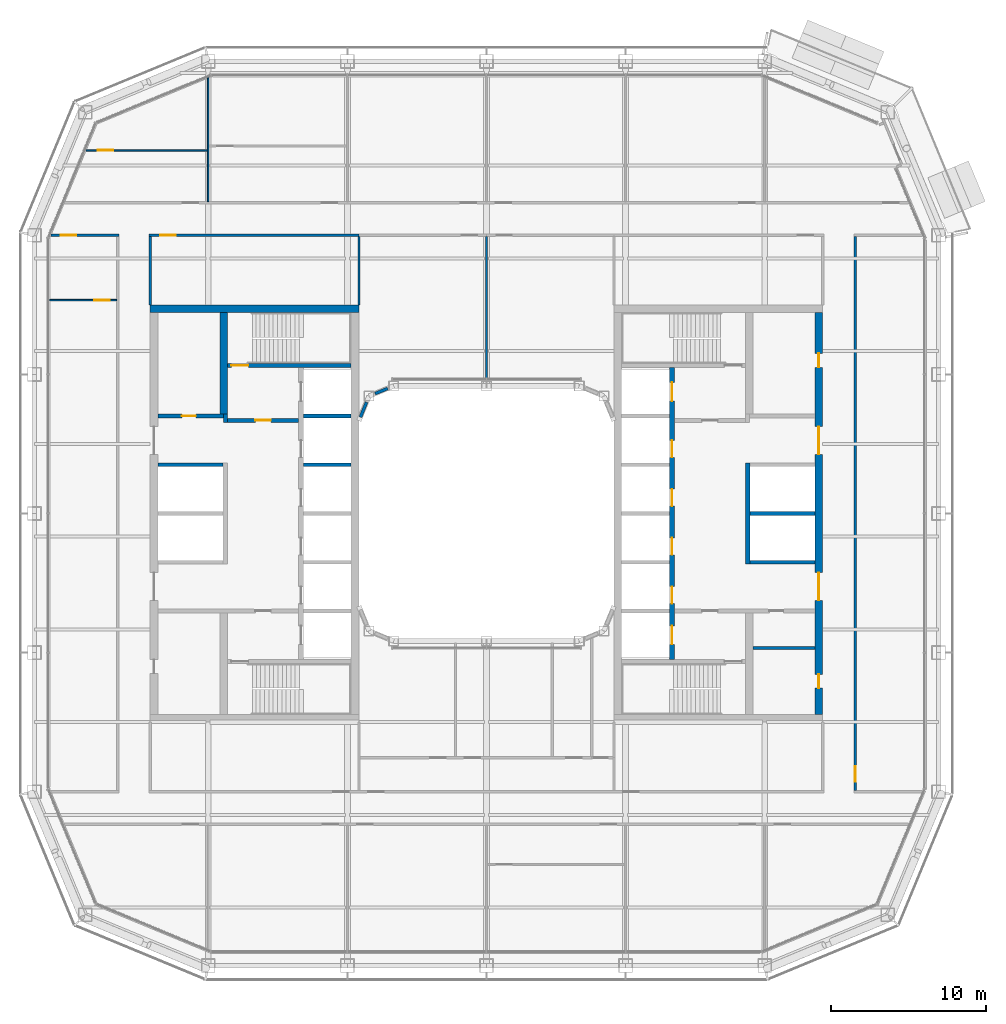
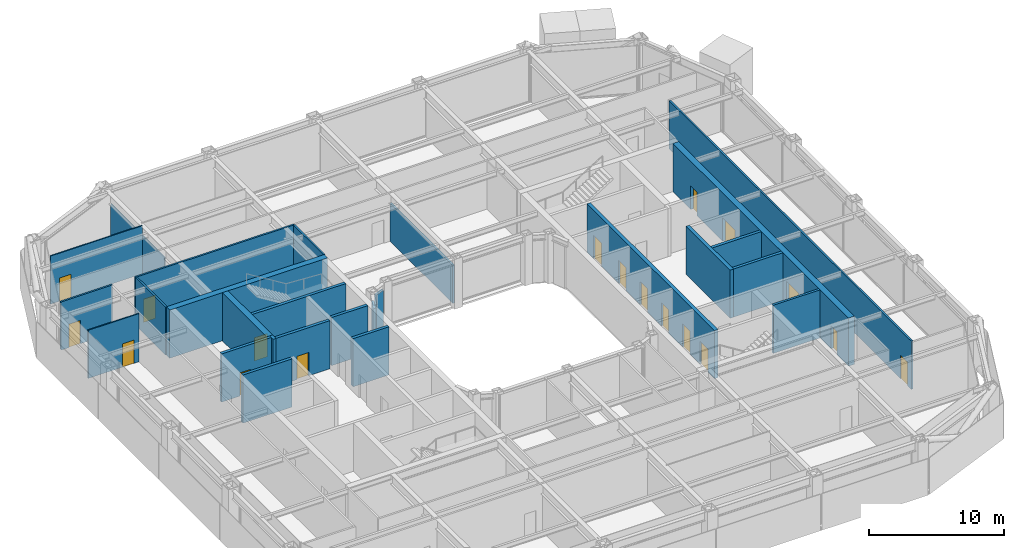
# One storey, part 13 of 23: 26 walls, 18 doors, 18 openings.
"""IFC4 building model written with IfcOpenShell, lengths in metres."""

from ifc_helpers import new_model, si_unit, direction, frame, frame_2d, origin, place, context, subcontext, project, spatial, rectangle, extrude, material, layer, layer_set, type_object, element, fill, save


model = new_model("IFC4")

# Units and contexts
model_context = context("Model", 3, precision=1e-05, world=origin(), true_north=direction((0.0, 1.0)))
body_context = subcontext(model_context, "Body", "Model", "MODEL_VIEW")
ifc_project = project(units=[si_unit("LENGTHUNIT", "METRE"), si_unit("AREAUNIT", "SQUARE_METRE"), si_unit("VOLUMEUNIT", "CUBIC_METRE"), si_unit("PLANEANGLEUNIT", "RADIAN"), si_unit("MASSUNIT", "GRAM", prefix="KILO")], contexts=[model_context])

# Site, building, storey
site_placement = place(None, origin())
site = spatial("IfcSite", under=ifc_project, at=site_placement, CompositionType="ELEMENT")
building_placement = place(site_placement, origin())
building = spatial("IfcBuilding", under=site, at=building_placement, Name="Siwar Civic Tower", CompositionType="ELEMENT")
storey_placement = place(building_placement, frame((0.0, 0.0, 167.699951171875)))
storey = spatial("IfcBuildingStorey", under=building, at=storey_placement, Name="L36", CompositionType="ELEMENT", Elevation=167.699951171875)

# Walls
ifc_material_1 = material(Name="Gypsum board on steel studs", Category="steel")
ifc_layer_1 = layer(ifc_material_1, 0.14990234375)
ifc_layer_set_1 = layer_set([ifc_layer_1], Name="Gypsum board on steel studs")
wall_type_1 = type_object("IfcWallType", Name="COMPARTMENT PARTITION 150 EI 60", PredefinedType="PARTITIONING", material=ifc_layer_set_1)
wall_1_placement = place(storey_placement, frame((-8.25, 13.5, 0.0), z_axis=(0.0, 0.0, 1.0), x_axis=(0.0, 1.0, 0.0)))
element("IfcWall", 1, at=wall_1_placement, inside=storey, type_object=wall_type_1, Name="L36/wall/P25", PredefinedType="PARTITIONING", context=body_context, shape_type="SweptSolid", body=[
    extrude(rectangle(XDim=4.425048828125, YDim=0.14990234375, at=frame_2d((2.21240234375, 0.0))), origin(), (0.0, 0.0, 1.0), 4.35009765625),
])
wall_2_placement = place(storey_placement, frame((0.0, 8.64990234375, 0.0), z_axis=(0.0, 0.0, 1.0), x_axis=(0.0, 1.0, 0.0)))
element("IfcWall", 2, at=wall_2_placement, inside=storey, type_object=wall_type_1, Name="L36/wall/P29", PredefinedType="PARTITIONING", context=body_context, shape_type="SweptSolid", body=[
    extrude(rectangle(XDim=9.275146484375, YDim=0.14990234375, at=frame_2d((4.6376953125, 0.0))), origin(), (0.0, 0.0, 1.0), 3.449951171875),
])
ifc_material_2 = material(Name="Gypsum board on steel studs", Category="steel")
ifc_layer_2 = layer(ifc_material_2, 0.199951171875)
ifc_layer_set_2 = layer_set([ifc_layer_2], Name="Gypsum board on steel studs")
wall_type_2 = type_object("IfcWallType", Name="CORE-PARTITION-200", PredefinedType="PARTITIONING", material=ifc_layer_set_2)
wall_3_placement = place(storey_placement, frame((17.25, -8.699951171875, 0.0), z_axis=(0.0, 0.0, 1.0), x_axis=(1.0, 0.0, 0.0)))
element("IfcWall", 3, at=wall_3_placement, inside=storey, type_object=wall_type_2, Name="Core partition E", PredefinedType="PARTITIONING", context=body_context, shape_type="SweptSolid", body=[
    extrude(rectangle(XDim=4.0, YDim=0.199951171875, at=frame_2d((2.0, 0.0))), origin(), (0.0, 0.0, 1.0), 4.35009765625),
])

# Wall, opening, door
ifc_material_3 = material(Name="Concrete C60/75", Category="concrete")
ifc_layer_3 = layer(ifc_material_3, 0.25)
ifc_layer_set_3 = layer_set([ifc_layer_3], Name="Concrete C60/75")
wall_type_3 = type_object("IfcWallType", Name="CORE-WALL-RC250", PredefinedType="SHEAR", material=ifc_layer_set_3)
wall_4_placement = place(storey_placement, frame((-12.14990234375, 6.02490234375, 0.0), z_axis=(0.0, 0.0, 1.0), x_axis=(-1.0, 0.0, 0.0)))
wall_4 = element("IfcWall", 4, at=wall_4_placement, inside=storey, type_object=wall_type_3, Name="Core wall W", PredefinedType="SHEAR", context=body_context, shape_type="SweptSolid", body=[
    extrude(rectangle(XDim=4.60009765625, YDim=0.25, at=frame_2d((2.300048828125, 0.0))), origin(), (0.0, 0.0, 1.0), 4.35009765625),
])
opening_1_placement = place(wall_4_placement, frame((1.800048828125, 0.0, 0.0)))
opening_1 = element("IfcOpeningElement", 5, at=opening_1_placement, cuts=wall_4, Name="Opening L36-CW01", PredefinedType="OPENING", context=body_context, shape_type="SweptSolid", body=[
    extrude(rectangle(XDim=1.0, YDim=2.10009765625, at=frame_2d((0.5, 1.050048828125))), frame((0.0, 0.135009765625, 0.0), z_axis=(0.0, -1.0, 0.0), x_axis=(1.0, 0.0, 0.0)), (0.0, 0.0, 1.0), 0.27001953125),
])
ifc_material_4 = material(Name="Steel door leaf", Category="steel")
door_type_1 = type_object("IfcDoorType", Name="CORE-DOOR-FD30S", OperationType="SINGLE_SWING_LEFT", PredefinedType="DOOR", material=ifc_material_4)
door_1_placement = place(opening_1_placement, origin())
door_1 = element("IfcDoor", 6, at=door_1_placement, inside=storey, type_object=door_type_1, Name="Firefighting lobby door L36-CW01", OperationType="SINGLE_SWING_LEFT", OverallHeight=2.10009765625, OverallWidth=1.0, PredefinedType="DOOR", context=body_context, shape_type="SweptSolid", body=[
    extrude(rectangle(XDim=1.0, YDim=2.10009765625, at=frame_2d((0.5, 1.050048828125))), frame((0.0, 0.02490234375, 0.0), z_axis=(0.0, -1.0, 0.0), x_axis=(1.0, 0.0, 0.0)), (0.0, 0.0, 1.0), 0.050048828125),
])
fill(opening_1, door_1)

# Wall
wall_5_placement = place(storey_placement, frame((-16.875, 5.89990234375, 0.0), z_axis=(0.0, 0.0, 1.0), x_axis=(0.0, 1.0, 0.0)))
element("IfcWall", 7, at=wall_5_placement, inside=storey, type_object=wall_type_3, Name="Core wall W", PredefinedType="SHEAR", context=body_context, shape_type="SweptSolid", body=[
    extrude(rectangle(XDim=0.525146484375, YDim=0.25, at=frame_2d((0.2626953125, 0.0))), origin(), (0.0, 0.0, 1.0), 4.35009765625),
])

# Wall, opening, door
wall_6_placement = place(storey_placement, frame((-17.0, 6.300048828125, 0.0), z_axis=(0.0, 0.0, 1.0), x_axis=(-1.0, 0.0, 0.0)))
wall_6 = element("IfcWall", 8, at=wall_6_placement, inside=storey, type_object=wall_type_3, Name="Core wall W", PredefinedType="SHEAR", context=body_context, shape_type="SweptSolid", body=[
    extrude(rectangle(XDim=4.25, YDim=0.25, at=frame_2d((2.125, 0.0))), origin(), (0.0, 0.0, 1.0), 4.35009765625),
])
opening_2_placement = place(wall_6_placement, frame((1.800048828125, 0.0, 0.0)))
opening_2 = element("IfcOpeningElement", 9, at=opening_2_placement, cuts=wall_6, Name="Opening L36-CW13", PredefinedType="OPENING", context=body_context, shape_type="SweptSolid", body=[
    extrude(rectangle(XDim=0.89990234375, YDim=2.10009765625, at=frame_2d((0.449951171875, 1.050048828125))), frame((0.0, 0.135009765625, 0.0), z_axis=(0.0, -1.0, 0.0), x_axis=(1.0, 0.0, 0.0)), (0.0, 0.0, 1.0), 0.27001953125),
])
ifc_material_5 = material(Name="Steel door leaf", Category="steel")
door_type_2 = type_object("IfcDoorType", Name="CORE-DOOR-ROOM", OperationType="SINGLE_SWING_LEFT", PredefinedType="DOOR", material=ifc_material_5)
door_2_placement = place(opening_2_placement, origin())
door_2 = element("IfcDoor", 10, at=door_2_placement, inside=storey, type_object=door_type_2, Name="Core room door L36-CW13", OperationType="SINGLE_SWING_LEFT", OverallHeight=2.10009765625, OverallWidth=0.89990234375, PredefinedType="DOOR", context=body_context, shape_type="SweptSolid", body=[
    extrude(rectangle(XDim=0.89990234375, YDim=2.10009765625, at=frame_2d((0.449951171875, 1.050048828125))), frame((0.0, 0.02490234375, 0.0), z_axis=(0.0, -1.0, 0.0), x_axis=(1.0, 0.0, 0.0)), (0.0, 0.0, 1.0), 0.050048828125),
])
fill(opening_2, door_2)

# Walls
wall_7_placement = place(storey_placement, frame((-17.050048828125, 3.14990234375, 0.0), z_axis=(0.0, 0.0, 1.0), x_axis=(-1.0, 0.0, 0.0)))
element("IfcWall", 11, at=wall_7_placement, inside=storey, type_object=wall_type_3, Name="Core wall W", PredefinedType="SHEAR", context=body_context, shape_type="SweptSolid", body=[
    extrude(rectangle(XDim=4.199951171875, YDim=0.25, at=frame_2d((2.10009765625, 0.0))), origin(), (0.0, 0.0, 1.0), 4.35009765625),
])
for number, where, z_axis, x_axis, name in (
    (12, (-8.75, 3.14990234375, 0.0), (0.0, 0.0, 1.0), (-1.0, 0.0, 0.0), "Core wall W"),
    (13, (-8.75, 6.300048828125, 0.0), (0.0, 0.0, 1.0), (-1.0, 0.0, 0.0), "Core wall W"),
):
    element("IfcWall", number, at=place(storey_placement, frame(where, z_axis=z_axis, x_axis=x_axis)), inside=storey, type_object=wall_type_3, Name=name, PredefinedType="SHEAR", context=body_context, shape_type="SweptSolid", body=[
        extrude(rectangle(XDim=3.10009765625, YDim=0.25, at=frame_2d((1.550048828125, 0.0))), origin(), (0.0, 0.0, 1.0), 4.35009765625),
    ])

# Wall, opening, door
wall_8_placement = place(storey_placement, frame((-8.75, 9.574951171875, 0.0), z_axis=(0.0, 0.0, 1.0), x_axis=(-1.0, 0.0, 0.0)))
wall_8 = element("IfcWall", 14, at=wall_8_placement, inside=storey, type_object=wall_type_3, Name="Core wall W", PredefinedType="SHEAR", context=body_context, shape_type="SweptSolid", body=[
    extrude(rectangle(XDim=8.0, YDim=0.25, at=frame_2d((4.0, 0.0))), origin(), (0.0, 0.0, 1.0), 4.35009765625),
])
opening_3_placement = place(wall_8_placement, frame((6.64990234375, 0.0, 0.0)))
opening_3 = element("IfcOpeningElement", 15, at=opening_3_placement, cuts=wall_8, Name="Opening L36-CW03", PredefinedType="OPENING", context=body_context, shape_type="SweptSolid", body=[
    extrude(rectangle(XDim=1.10009765625, YDim=2.10009765625, at=frame_2d((0.550048828125, 1.050048828125))), frame((0.0, 0.135009765625, 0.0), z_axis=(0.0, -1.0, 0.0), x_axis=(1.0, 0.0, 0.0)), (0.0, 0.0, 1.0), 0.27001953125),
])
ifc_material_6 = material(Name="Steel door leaf", Category="steel")
door_type_3 = type_object("IfcDoorType", Name="CORE-DOOR-FD60S", OperationType="SINGLE_SWING_LEFT", PredefinedType="DOOR", material=ifc_material_6)
door_3_placement = place(opening_3_placement, origin())
door_3 = element("IfcDoor", 16, at=door_3_placement, inside=storey, type_object=door_type_3, Name="Stair door L36-CW03", OperationType="SINGLE_SWING_RIGHT", OverallHeight=2.10009765625, OverallWidth=1.10009765625, PredefinedType="DOOR", context=body_context, shape_type="SweptSolid", body=[
    extrude(rectangle(XDim=1.10009765625, YDim=2.10009765625, at=frame_2d((0.550048828125, 1.050048828125))), frame((0.0, 0.02490234375, 0.0), z_axis=(0.0, -1.0, 0.0), x_axis=(1.0, 0.0, 0.0)), (0.0, 0.0, 1.0), 0.050048828125),
])
fill(opening_3, door_3)

# Walls
for number, where, z_axis, x_axis, name in (
    (17, (17.050048828125, 0.0, 0.0), (0.0, 0.0, 1.0), (1.0, 0.0, 0.0), "Core wall E"),
    (18, (17.050048828125, -3.14990234375, 0.0), (0.0, 0.0, 1.0), (1.0, 0.0, 0.0), "Core wall E"),
):
    element("IfcWall", number, at=place(storey_placement, frame(where, z_axis=z_axis, x_axis=x_axis)), inside=storey, type_object=wall_type_3, Name=name, PredefinedType="SHEAR", context=body_context, shape_type="SweptSolid", body=[
        extrude(rectangle(XDim=4.199951171875, YDim=0.25, at=frame_2d((2.10009765625, 0.0))), origin(), (0.0, 0.0, 1.0), 4.35009765625),
    ])

# Wall, openings, doors
ifc_material_7 = material(Name="Concrete C60/75", Category="concrete")
ifc_layer_4 = layer(ifc_material_7, 0.300048828125)
ifc_layer_set_4 = layer_set([ifc_layer_4], Name="Concrete C60/75")
wall_type_4 = type_object("IfcWallType", Name="CORE-WALL-RC300", PredefinedType="SHEAR", material=ifc_layer_set_4)
wall_9_placement = place(storey_placement, frame((12.0, -9.449951171875, 0.0), z_axis=(0.0, 0.0, 1.0), x_axis=(0.0, 1.0, 0.0)))
wall_9 = element("IfcWall", 19, at=wall_9_placement, inside=storey, type_object=wall_type_4, Name="Core wall E", PredefinedType="SHEAR", context=body_context, shape_type="SweptSolid", body=[
    extrude(rectangle(XDim=18.89990234375, YDim=0.300048828125, at=frame_2d((9.449951171875, 0.0))), origin(), (0.0, 0.0, 1.0), 4.35009765625),
])
opening_4_placement = place(wall_9_placement, frame((3.625, 0.0, 0.0)))
opening_4 = element("IfcOpeningElement", 20, at=opening_4_placement, cuts=wall_9, Name="Opening L36-CE07", PredefinedType="OPENING", context=body_context, shape_type="SweptSolid", body=[
    extrude(rectangle(XDim=1.10009765625, YDim=2.10009765625, at=frame_2d((0.550048828125, 1.050048828125))), frame((0.0, 0.16015625, 0.0), z_axis=(0.0, -1.0, 0.0), x_axis=(1.0, 0.0, 0.0)), (0.0, 0.0, 1.0), 0.320068359375),
])
opening_5_placement = place(wall_9_placement, frame((6.77490234375, 0.0, 0.0)))
opening_5 = element("IfcOpeningElement", 21, at=opening_5_placement, cuts=wall_9, Name="Opening L36-CE08", PredefinedType="OPENING", context=body_context, shape_type="SweptSolid", body=[
    extrude(rectangle(XDim=1.10009765625, YDim=2.10009765625, at=frame_2d((0.550048828125, 1.050048828125))), frame((0.0, 0.16015625, 0.0), z_axis=(0.0, -1.0, 0.0), x_axis=(1.0, 0.0, 0.0)), (0.0, 0.0, 1.0), 0.320068359375),
])
opening_6_placement = place(wall_9_placement, frame((9.925048828125, 0.0, 0.0)))
opening_6 = element("IfcOpeningElement", 22, at=opening_6_placement, cuts=wall_9, Name="Opening L36-CE09", PredefinedType="OPENING", context=body_context, shape_type="SweptSolid", body=[
    extrude(rectangle(XDim=1.10009765625, YDim=2.10009765625, at=frame_2d((0.550048828125, 1.050048828125))), frame((0.0, 0.16015625, 0.0), z_axis=(0.0, -1.0, 0.0), x_axis=(1.0, 0.0, 0.0)), (0.0, 0.0, 1.0), 0.320068359375),
])
opening_7_placement = place(wall_9_placement, frame((13.074951171875, 0.0, 0.0)))
opening_7 = element("IfcOpeningElement", 23, at=opening_7_placement, cuts=wall_9, Name="Opening L36-CE10", PredefinedType="OPENING", context=body_context, shape_type="SweptSolid", body=[
    extrude(rectangle(XDim=1.10009765625, YDim=2.10009765625, at=frame_2d((0.550048828125, 1.050048828125))), frame((0.0, 0.16015625, 0.0), z_axis=(0.0, -1.0, 0.0), x_axis=(1.0, 0.0, 0.0)), (0.0, 0.0, 1.0), 0.320068359375),
])
opening_8_placement = place(wall_9_placement, frame((16.72509765625, 0.0, 0.0)))
opening_8 = element("IfcOpeningElement", 24, at=opening_8_placement, cuts=wall_9, Name="Opening L36-CE11", PredefinedType="OPENING", context=body_context, shape_type="SweptSolid", body=[
    extrude(rectangle(XDim=1.199951171875, YDim=2.10009765625, at=frame_2d((0.60009765625, 1.050048828125))), frame((0.0, 0.16015625, 0.0), z_axis=(0.0, -1.0, 0.0), x_axis=(1.0, 0.0, 0.0)), (0.0, 0.0, 1.0), 0.320068359375),
])
opening_9_placement = place(wall_9_placement, frame((0.97509765625, 0.0, 0.0)))
opening_9 = element("IfcOpeningElement", 25, at=opening_9_placement, cuts=wall_9, Name="Opening L36-CE12", PredefinedType="OPENING", context=body_context, shape_type="SweptSolid", body=[
    extrude(rectangle(XDim=1.199951171875, YDim=2.10009765625, at=frame_2d((0.60009765625, 1.050048828125))), frame((0.0, 0.16015625, 0.0), z_axis=(0.0, -1.0, 0.0), x_axis=(1.0, 0.0, 0.0)), (0.0, 0.0, 1.0), 0.320068359375),
])
ifc_material_8 = material(Name="Steel door leaf", Category="steel")
door_type_4 = type_object("IfcDoorType", Name="CORE-DOOR-LD", OperationType="DOUBLE_DOOR_SLIDING", PredefinedType="DOOR", material=ifc_material_8)
door_4_placement = place(opening_4_placement, origin())
door_4 = element("IfcDoor", 26, at=door_4_placement, inside=storey, type_object=door_type_4, Name="Landing door LR5 L36-CE07", OperationType="DOUBLE_DOOR_SLIDING", OverallHeight=2.10009765625, OverallWidth=1.10009765625, PredefinedType="DOOR", context=body_context, shape_type="SweptSolid", body=[
    extrude(rectangle(XDim=1.10009765625, YDim=2.10009765625, at=frame_2d((0.550048828125, 1.050048828125))), frame((0.0, 0.02490234375, 0.0), z_axis=(0.0, -1.0, 0.0), x_axis=(1.0, 0.0, 0.0)), (0.0, 0.0, 1.0), 0.050048828125),
])
fill(opening_4, door_4)
door_5_placement = place(opening_5_placement, origin())
door_5 = element("IfcDoor", 27, at=door_5_placement, inside=storey, type_object=door_type_4, Name="Landing door LR6 L36-CE08", OperationType="DOUBLE_DOOR_SLIDING", OverallHeight=2.10009765625, OverallWidth=1.10009765625, PredefinedType="DOOR", context=body_context, shape_type="SweptSolid", body=[
    extrude(rectangle(XDim=1.10009765625, YDim=2.10009765625, at=frame_2d((0.550048828125, 1.050048828125))), frame((0.0, 0.02490234375, 0.0), z_axis=(0.0, -1.0, 0.0), x_axis=(1.0, 0.0, 0.0)), (0.0, 0.0, 1.0), 0.050048828125),
])
fill(opening_5, door_5)
door_6_placement = place(opening_6_placement, origin())
door_6 = element("IfcDoor", 28, at=door_6_placement, inside=storey, type_object=door_type_4, Name="Landing door LR7 L36-CE09", OperationType="DOUBLE_DOOR_SLIDING", OverallHeight=2.10009765625, OverallWidth=1.10009765625, PredefinedType="DOOR", context=body_context, shape_type="SweptSolid", body=[
    extrude(rectangle(XDim=1.10009765625, YDim=2.10009765625, at=frame_2d((0.550048828125, 1.050048828125))), frame((0.0, 0.02490234375, 0.0), z_axis=(0.0, -1.0, 0.0), x_axis=(1.0, 0.0, 0.0)), (0.0, 0.0, 1.0), 0.050048828125),
])
fill(opening_6, door_6)
door_7_placement = place(opening_7_placement, origin())
door_7 = element("IfcDoor", 29, at=door_7_placement, inside=storey, type_object=door_type_4, Name="Landing door LR8 L36-CE10", OperationType="DOUBLE_DOOR_SLIDING", OverallHeight=2.10009765625, OverallWidth=1.10009765625, PredefinedType="DOOR", context=body_context, shape_type="SweptSolid", body=[
    extrude(rectangle(XDim=1.10009765625, YDim=2.10009765625, at=frame_2d((0.550048828125, 1.050048828125))), frame((0.0, 0.02490234375, 0.0), z_axis=(0.0, -1.0, 0.0), x_axis=(1.0, 0.0, 0.0)), (0.0, 0.0, 1.0), 0.050048828125),
])
fill(opening_7, door_7)
ifc_material_9 = material(Name="Steel door leaf", Category="steel")
door_type_5 = type_object("IfcDoorType", Name="CORE-DOOR-LDW", OperationType="DOUBLE_DOOR_SLIDING", PredefinedType="DOOR", material=ifc_material_9)
door_8_placement = place(opening_8_placement, origin())
door_8 = element("IfcDoor", 30, at=door_8_placement, inside=storey, type_object=door_type_5, Name="Landing door FF2 L36-CE11", OperationType="DOUBLE_DOOR_SLIDING", OverallHeight=2.10009765625, OverallWidth=1.199951171875, PredefinedType="DOOR", context=body_context, shape_type="SweptSolid", body=[
    extrude(rectangle(XDim=1.199951171875, YDim=2.10009765625, at=frame_2d((0.60009765625, 1.050048828125))), frame((0.0, 0.02490234375, 0.0), z_axis=(0.0, -1.0, 0.0), x_axis=(1.0, 0.0, 0.0)), (0.0, 0.0, 1.0), 0.050048828125),
])
fill(opening_8, door_8)
door_9_placement = place(opening_9_placement, origin())
door_9 = element("IfcDoor", 31, at=door_9_placement, inside=storey, type_object=door_type_5, Name="Landing door SV2 L36-CE12", OperationType="DOUBLE_DOOR_SLIDING", OverallHeight=2.10009765625, OverallWidth=1.199951171875, PredefinedType="DOOR", context=body_context, shape_type="SweptSolid", body=[
    extrude(rectangle(XDim=1.199951171875, YDim=2.10009765625, at=frame_2d((0.60009765625, 1.050048828125))), frame((0.0, 0.02490234375, 0.0), z_axis=(0.0, -1.0, 0.0), x_axis=(1.0, 0.0, 0.0)), (0.0, 0.0, 1.0), 0.050048828125),
])
fill(opening_9, door_9)

# Walls
wall_10_placement = place(storey_placement, frame((16.89990234375, -3.27490234375, 0.0), z_axis=(0.0, 0.0, 1.0), x_axis=(0.0, 1.0, 0.0)))
element("IfcWall", 32, at=wall_10_placement, inside=storey, type_object=wall_type_4, Name="Core wall E", PredefinedType="SHEAR", context=body_context, shape_type="SweptSolid", body=[
    extrude(rectangle(XDim=6.5498046875, YDim=0.300048828125, at=frame_2d((3.27490234375, 0.0))), origin(), (0.0, 0.0, 1.0), 4.35009765625),
])
ifc_material_10 = material(Name="Concrete C60/75", Category="concrete")
ifc_layer_5 = layer(ifc_material_10, 0.5)
ifc_layer_set_5 = layer_set([ifc_layer_5], Name="Concrete C60/75")
wall_type_5 = type_object("IfcWallType", Name="CORE-WALL-RC500", PredefinedType="SHEAR", material=ifc_layer_set_5)
wall_11_placement = place(storey_placement, frame((-17.0, 6.425048828125, 0.0), z_axis=(0.0, 0.0, 1.0), x_axis=(0.0, 1.0, 0.0)))
element("IfcWall", 33, at=wall_11_placement, inside=storey, type_object=wall_type_5, Name="Core wall W", PredefinedType="SHEAR", context=body_context, shape_type="SweptSolid", body=[
    extrude(rectangle(XDim=6.574951171875, YDim=0.5, at=frame_2d((3.28759765625, 0.0))), origin(), (0.0, 0.0, 1.0), 4.35009765625),
])
wall_12_placement = place(storey_placement, frame((-8.25, 13.25, 0.0), z_axis=(0.0, 0.0, 1.0), x_axis=(-1.0, 0.0, 0.0)))
element("IfcWall", 34, at=wall_12_placement, inside=storey, type_object=wall_type_5, Name="Core wall W", PredefinedType="SHEAR", context=body_context, shape_type="SweptSolid", body=[
    extrude(rectangle(XDim=13.5, YDim=0.5, at=frame_2d((6.75, 0.0))), origin(), (0.0, 0.0, 1.0), 4.35009765625),
])

# Wall, openings, doors
wall_13_placement = place(storey_placement, frame((21.5, -13.0, 0.0), z_axis=(0.0, 0.0, 1.0), x_axis=(0.0, 1.0, 0.0)))
wall_13 = element("IfcWall", 35, at=wall_13_placement, inside=storey, type_object=wall_type_5, Name="Core wall E", PredefinedType="SHEAR", context=body_context, shape_type="SweptSolid", body=[
    extrude(rectangle(XDim=26.0, YDim=0.5, at=frame_2d((13.0, 0.0))), origin(), (0.0, 0.0, 1.0), 4.35009765625),
])
opening_10_placement = place(wall_13_placement, frame((16.824951171875, 0.0, 0.0)))
opening_10 = element("IfcOpeningElement", 36, at=opening_10_placement, cuts=wall_13, Name="Opening L36-CE05", PredefinedType="OPENING", context=body_context, shape_type="SweptSolid", body=[
    extrude(rectangle(XDim=1.800048828125, YDim=2.10009765625, at=frame_2d((0.89990234375, 1.050048828125))), frame((0.0, 0.260009765625, 0.0), z_axis=(0.0, -1.0, 0.0), x_axis=(1.0, 0.0, 0.0)), (0.0, 0.0, 1.0), 0.52001953125),
])
opening_11_placement = place(wall_13_placement, frame((7.375, 0.0, 0.0)))
opening_11 = element("IfcOpeningElement", 37, at=opening_11_placement, cuts=wall_13, Name="Opening L36-CE06", PredefinedType="OPENING", context=body_context, shape_type="SweptSolid", body=[
    extrude(rectangle(XDim=1.800048828125, YDim=2.10009765625, at=frame_2d((0.89990234375, 1.050048828125))), frame((0.0, 0.260009765625, 0.0), z_axis=(0.0, -1.0, 0.0), x_axis=(1.0, 0.0, 0.0)), (0.0, 0.0, 1.0), 0.52001953125),
])
opening_12_placement = place(wall_13_placement, frame((22.449951171875, 0.0, 0.0)))
opening_12 = element("IfcOpeningElement", 38, at=opening_12_placement, cuts=wall_13, Name="Opening L36-CE13", PredefinedType="OPENING", context=body_context, shape_type="SweptSolid", body=[
    extrude(rectangle(XDim=0.89990234375, YDim=2.10009765625, at=frame_2d((0.449951171875, 1.050048828125))), frame((0.0, 0.260009765625, 0.0), z_axis=(0.0, -1.0, 0.0), x_axis=(1.0, 0.0, 0.0)), (0.0, 0.0, 1.0), 0.52001953125),
])
opening_13_placement = place(wall_13_placement, frame((1.699951171875, 0.0, 0.0)))
opening_13 = element("IfcOpeningElement", 39, at=opening_13_placement, cuts=wall_13, Name="Opening L36-CE15", PredefinedType="OPENING", context=body_context, shape_type="SweptSolid", body=[
    extrude(rectangle(XDim=0.89990234375, YDim=2.10009765625, at=frame_2d((0.449951171875, 1.050048828125))), frame((0.0, 0.260009765625, 0.0), z_axis=(0.0, -1.0, 0.0), x_axis=(1.0, 0.0, 0.0)), (0.0, 0.0, 1.0), 0.52001953125),
])
ifc_material_11 = material(Name="Steel door leaf", Category="steel")
door_type_6 = type_object("IfcDoorType", Name="CORE-DOOR-PORT", OperationType="DOUBLE_DOOR_DOUBLE_SWING", PredefinedType="DOOR", material=ifc_material_11)
door_10_placement = place(opening_10_placement, origin())
door_10 = element("IfcDoor", 40, at=door_10_placement, inside=storey, type_object=door_type_6, Name="Core entrance door L36-CE05", OperationType="DOUBLE_DOOR_DOUBLE_SWING", OverallHeight=2.10009765625, OverallWidth=1.800048828125, PredefinedType="DOOR", context=body_context, shape_type="SweptSolid", body=[
    extrude(rectangle(XDim=1.800048828125, YDim=2.10009765625, at=frame_2d((0.89990234375, 1.050048828125))), frame((0.0, 0.02490234375, 0.0), z_axis=(0.0, -1.0, 0.0), x_axis=(1.0, 0.0, 0.0)), (0.0, 0.0, 1.0), 0.050048828125),
])
fill(opening_10, door_10)
door_11_placement = place(opening_11_placement, origin())
door_11 = element("IfcDoor", 41, at=door_11_placement, inside=storey, type_object=door_type_6, Name="Core entrance door L36-CE06", OperationType="DOUBLE_DOOR_DOUBLE_SWING", OverallHeight=2.10009765625, OverallWidth=1.800048828125, PredefinedType="DOOR", context=body_context, shape_type="SweptSolid", body=[
    extrude(rectangle(XDim=1.800048828125, YDim=2.10009765625, at=frame_2d((0.89990234375, 1.050048828125))), frame((0.0, 0.02490234375, 0.0), z_axis=(0.0, -1.0, 0.0), x_axis=(1.0, 0.0, 0.0)), (0.0, 0.0, 1.0), 0.050048828125),
])
fill(opening_11, door_11)
door_12_placement = place(opening_12_placement, origin())
door_12 = element("IfcDoor", 42, at=door_12_placement, inside=storey, type_object=door_type_2, Name="Core room door L36-CE13", OperationType="SINGLE_SWING_LEFT", OverallHeight=2.10009765625, OverallWidth=0.89990234375, PredefinedType="DOOR", context=body_context, shape_type="SweptSolid", body=[
    extrude(rectangle(XDim=0.89990234375, YDim=2.10009765625, at=frame_2d((0.449951171875, 1.050048828125))), frame((0.0, 0.02490234375, 0.0), z_axis=(0.0, -1.0, 0.0), x_axis=(1.0, 0.0, 0.0)), (0.0, 0.0, 1.0), 0.050048828125),
])
fill(opening_12, door_12)
door_13_placement = place(opening_13_placement, origin())
door_13 = element("IfcDoor", 43, at=door_13_placement, inside=storey, type_object=door_type_2, Name="Core room door L36-CE15", OperationType="SINGLE_SWING_LEFT", OverallHeight=2.10009765625, OverallWidth=0.89990234375, PredefinedType="DOOR", context=body_context, shape_type="SweptSolid", body=[
    extrude(rectangle(XDim=0.89990234375, YDim=2.10009765625, at=frame_2d((0.449951171875, 1.050048828125))), frame((0.0, 0.02490234375, 0.0), z_axis=(0.0, -1.0, 0.0), x_axis=(1.0, 0.0, 0.0)), (0.0, 0.0, 1.0), 0.050048828125),
])
fill(opening_13, door_13)

# Wall, opening, door
ifc_material_12 = material(Name="Gypsum board on steel studs", Category="steel")
ifc_layer_6 = layer(ifc_material_12, 0.14990234375)
ifc_layer_set_6 = layer_set([ifc_layer_6], Name="Gypsum board on steel studs")
wall_type_6 = type_object("IfcWallType", Name="CORRIDOR PARTITION 150 EI 30", PredefinedType="PARTITIONING", material=ifc_layer_set_6)
wall_14_placement = place(storey_placement, frame((-28.177978515625, 18.0, 0.0), z_axis=(0.0, 0.0, 1.0), x_axis=(1.0, 0.0, 0.0)))
wall_14 = element("IfcWall", 44, at=wall_14_placement, inside=storey, type_object=wall_type_6, Name="L36/wall/P09", PredefinedType="PARTITIONING", context=body_context, shape_type="SweptSolid", body=[
    extrude(rectangle(XDim=4.403076171875, YDim=0.14990234375, at=frame_2d((2.20166015625, 0.0))), origin(), (0.0, 0.0, 1.0), 4.35009765625),
])
opening_14_placement = place(wall_14_placement, frame((0.64990234375, 0.0, 0.0)))
opening_14 = element("IfcOpeningElement", 45, at=opening_14_placement, cuts=wall_14, Name="Opening D1", PredefinedType="OPENING", context=body_context, shape_type="SweptSolid", body=[
    extrude(rectangle(XDim=1.0, YDim=2.10009765625, at=frame_2d((0.5, 1.050048828125))), frame((0.0, 0.0849609375, 0.0), z_axis=(0.0, -1.0, 0.0), x_axis=(1.0, 0.0, 0.0)), (0.0, 0.0, 1.0), 0.169921875),
])
ifc_material_13 = material(Name="Timber, painted", Category="wood")
door_type_7 = type_object("IfcDoorType", Name="DOOR 1000 X 2100 FD30", OperationType="SINGLE_SWING_LEFT", PredefinedType="DOOR", material=ifc_material_13)
door_14_placement = place(opening_14_placement, origin())
door_14 = element("IfcDoor", 46, at=door_14_placement, inside=storey, type_object=door_type_7, Name="L36-D27", OperationType="SINGLE_SWING_LEFT", OverallHeight=2.10009765625, OverallWidth=1.0, PredefinedType="DOOR", context=body_context, shape_type="SweptSolid", body=[
    extrude(rectangle(XDim=1.0, YDim=2.10009765625, at=frame_2d((0.5, 1.050048828125))), frame((0.0, 0.02490234375, 0.0), z_axis=(0.0, -1.0, 0.0), x_axis=(1.0, 0.0, 0.0)), (0.0, 0.0, 1.0), 0.050048828125),
])
fill(opening_14, door_14)

wall_15_placement = place(storey_placement, frame((-21.824951171875, 18.0, 0.0), z_axis=(0.0, 0.0, 1.0), x_axis=(1.0, 0.0, 0.0)))
wall_15 = element("IfcWall", 47, at=wall_15_placement, inside=storey, type_object=wall_type_6, Name="L36/wall/P10", PredefinedType="PARTITIONING", context=body_context, shape_type="SweptSolid", body=[
    extrude(rectangle(XDim=13.574951171875, YDim=0.14990234375, at=frame_2d((6.78759765625, 0.0))), origin(), (0.0, 0.0, 1.0), 4.35009765625),
])
opening_15_placement = place(wall_15_placement, frame((0.72509765625, 0.0, 0.0)))
opening_15 = element("IfcOpeningElement", 48, at=opening_15_placement, cuts=wall_15, Name="Opening D1", PredefinedType="OPENING", context=body_context, shape_type="SweptSolid", body=[
    extrude(rectangle(XDim=1.0, YDim=2.10009765625, at=frame_2d((0.5, 1.050048828125))), frame((0.0, 0.0849609375, 0.0), z_axis=(0.0, -1.0, 0.0), x_axis=(1.0, 0.0, 0.0)), (0.0, 0.0, 1.0), 0.169921875),
])
door_15_placement = place(opening_15_placement, origin())
door_15 = element("IfcDoor", 49, at=door_15_placement, inside=storey, type_object=door_type_7, Name="L36-D23", OperationType="SINGLE_SWING_LEFT", OverallHeight=2.10009765625, OverallWidth=1.0, PredefinedType="DOOR", context=body_context, shape_type="SweptSolid", body=[
    extrude(rectangle(XDim=1.0, YDim=2.10009765625, at=frame_2d((0.5, 1.050048828125))), frame((0.0, 0.02490234375, 0.0), z_axis=(0.0, -1.0, 0.0), x_axis=(1.0, 0.0, 0.0)), (0.0, 0.0, 1.0), 0.050048828125),
])
fill(opening_15, door_15)

# Wall
wall_16_placement = place(storey_placement, frame((-21.75, 13.5, 0.0), z_axis=(0.0, 0.0, 1.0), x_axis=(0.0, 1.0, 0.0)))
element("IfcWall", 50, at=wall_16_placement, inside=storey, type_object=wall_type_6, Name="L36/wall/P19", PredefinedType="PARTITIONING", context=body_context, shape_type="SweptSolid", body=[
    extrude(rectangle(XDim=4.425048828125, YDim=0.14990234375, at=frame_2d((2.21240234375, 0.0))), origin(), (0.0, 0.0, 1.0), 4.35009765625),
])

# Wall, opening, door
wall_17_placement = place(storey_placement, frame((23.85009765625, -17.925048828125, 0.0), z_axis=(0.0, 0.0, 1.0), x_axis=(0.0, 1.0, 0.0)))
wall_17 = element("IfcWall", 51, at=wall_17_placement, inside=storey, type_object=wall_type_6, Name="L36/wall/P41", PredefinedType="PARTITIONING", context=body_context, shape_type="SweptSolid", body=[
    extrude(rectangle(XDim=35.85009765625, YDim=0.14990234375, at=frame_2d((17.925048828125, 0.0))), origin(), (0.0, 0.0, 1.0), 4.35009765625),
])
opening_16_placement = place(wall_17_placement, frame((0.574951171875, 0.0, 0.0)))
opening_16 = element("IfcOpeningElement", 52, at=opening_16_placement, cuts=wall_17, Name="Opening D1", PredefinedType="OPENING", context=body_context, shape_type="SweptSolid", body=[
    extrude(rectangle(XDim=1.0, YDim=2.10009765625, at=frame_2d((0.5, 1.050048828125))), frame((0.0, 0.0849609375, 0.0), z_axis=(0.0, -1.0, 0.0), x_axis=(1.0, 0.0, 0.0)), (0.0, 0.0, 1.0), 0.169921875),
])
door_16_placement = place(opening_16_placement, origin())
door_16 = element("IfcDoor", 53, at=door_16_placement, inside=storey, type_object=door_type_7, Name="L36-D29", OperationType="SINGLE_SWING_LEFT", OverallHeight=2.10009765625, OverallWidth=1.0, PredefinedType="DOOR", context=body_context, shape_type="SweptSolid", body=[
    extrude(rectangle(XDim=1.0, YDim=2.10009765625, at=frame_2d((0.5, 1.050048828125))), frame((0.0, 0.02490234375, 0.0), z_axis=(0.0, -1.0, 0.0), x_axis=(1.0, 0.0, 0.0)), (0.0, 0.0, 1.0), 0.050048828125),
])
fill(opening_16, door_16)

# Walls
ifc_material_14 = material(Name="Aluminium clad insulated panel", Category="aluminium")
ifc_layer_7 = layer(ifc_material_14, 0.199951171875)
ifc_layer_set_7 = layer_set([ifc_layer_7], Name="Aluminium clad insulated panel")
wall_type_7 = type_object("IfcWallType", Name="ENV-WALL-WELL", PredefinedType="STANDARD", material=ifc_layer_set_7)
wall_18_placement = place(storey_placement, frame((-6.392333984375, 8.08740234375, 0.0), z_axis=(0.0, 0.0, 1.0), x_axis=(-0.923894108428, -0.382648241093, 0.0)))
element("IfcWall", 54, at=wall_18_placement, inside=storey, type_object=wall_type_7, Name="Light well corner wall NW1", PredefinedType="STANDARD", context=body_context, shape_type="SweptSolid", body=[
    extrude(rectangle(XDim=0.872802734375, YDim=0.199951171875, at=frame_2d((0.4365234375, 0.0))), origin(), (0.0, 0.0, 1.0), 3.825927734375),
])
wall_19_placement = place(storey_placement, frame((-7.75341796875, 7.19873046875, 0.0), z_axis=(0.0, 0.0, 1.0), x_axis=(-0.382694858887, -0.923874799408, 0.0)))
element("IfcWall", 55, at=wall_19_placement, inside=storey, type_object=wall_type_7, Name="Light well corner wall NW2", PredefinedType="STANDARD", context=body_context, shape_type="SweptSolid", body=[
    extrude(rectangle(XDim=1.047607421875, YDim=0.199951171875, at=frame_2d((0.52392578125, 0.0))), origin(), (0.0, 0.0, 1.0), 3.825927734375),
])

# Wall, opening, door
ifc_material_15 = material(Name="Gypsum board on steel studs", Category="steel")
ifc_layer_8 = layer(ifc_material_15, 0.10009765625)
ifc_layer_set_8 = layer_set([ifc_layer_8], Name="Gypsum board on steel studs")
wall_type_8 = type_object("IfcWallType", Name="PARTITION 100 GYPSUM", PredefinedType="PARTITIONING", material=ifc_layer_set_8)
wall_20_placement = place(storey_placement, frame((-28.260009765625, 13.800048828125, 0.0), z_axis=(0.0, 0.0, 1.0), x_axis=(1.0, 0.0, 0.0)))
wall_20 = element("IfcWall", 56, at=wall_20_placement, inside=storey, type_object=wall_type_8, Name="L36/wall/P08", PredefinedType="PARTITIONING", context=body_context, shape_type="SweptSolid", body=[
    extrude(rectangle(XDim=4.3349609375, YDim=0.10009765625, at=frame_2d((2.16748046875, 0.0))), origin(), (0.0, 0.0, 1.0), 4.35009765625),
])
opening_17_placement = place(wall_20_placement, frame((2.89990234375, 0.0, 0.0)))
opening_17 = element("IfcOpeningElement", 57, at=opening_17_placement, cuts=wall_20, Name="Opening D2", PredefinedType="OPENING", context=body_context, shape_type="SweptSolid", body=[
    extrude(rectangle(XDim=1.0, YDim=2.10009765625, at=frame_2d((0.5, 1.050048828125))), frame((0.0, 0.06005859375, 0.0), z_axis=(0.0, -1.0, 0.0), x_axis=(1.0, 0.0, 0.0)), (0.0, 0.0, 1.0), 0.1201171875),
])
ifc_material_16 = material(Name="Timber, painted", Category="wood")
door_type_8 = type_object("IfcDoorType", Name="DOOR 1000 X 2100", OperationType="SINGLE_SWING_LEFT", PredefinedType="DOOR", material=ifc_material_16)
door_17_placement = place(opening_17_placement, origin())
door_17 = element("IfcDoor", 58, at=door_17_placement, inside=storey, type_object=door_type_8, Name="L36-D28", OperationType="SINGLE_SWING_RIGHT", OverallHeight=2.10009765625, OverallWidth=1.0, PredefinedType="DOOR", context=body_context, shape_type="SweptSolid", body=[
    extrude(rectangle(XDim=1.0, YDim=2.10009765625, at=frame_2d((0.5, 1.050048828125))), frame((0.0, 0.02490234375, 0.0), z_axis=(0.0, -1.0, 0.0), x_axis=(1.0, 0.0, 0.0)), (0.0, 0.0, 1.0), 0.050048828125),
])
fill(opening_17, door_17)

wall_21_placement = place(storey_placement, frame((-25.903076171875, 23.492919921875, 0.0), z_axis=(0.0, 0.0, 1.0), x_axis=(1.0, 0.0, 0.0)))
wall_21 = element("IfcWall", 59, at=wall_21_placement, inside=storey, type_object=wall_type_8, Name="L36/wall/P15", PredefinedType="PARTITIONING", context=body_context, shape_type="SweptSolid", body=[
    extrude(rectangle(XDim=7.85302734375, YDim=0.10009765625, at=frame_2d((3.926513671875, 0.0))), origin(), (0.0, 0.0, 1.0), 4.35009765625),
])
opening_18_placement = place(wall_21_placement, frame((0.7529296875, 0.0, 0.0)))
opening_18 = element("IfcOpeningElement", 60, at=opening_18_placement, cuts=wall_21, Name="Opening D2", PredefinedType="OPENING", context=body_context, shape_type="SweptSolid", body=[
    extrude(rectangle(XDim=1.0, YDim=2.10009765625, at=frame_2d((0.5, 1.050048828125))), frame((0.0, 0.06005859375, 0.0), z_axis=(0.0, -1.0, 0.0), x_axis=(1.0, 0.0, 0.0)), (0.0, 0.0, 1.0), 0.1201171875),
])
door_18_placement = place(opening_18_placement, origin())
door_18 = element("IfcDoor", 61, at=door_18_placement, inside=storey, type_object=door_type_8, Name="L36-D12", OperationType="SINGLE_SWING_RIGHT", OverallHeight=2.10009765625, OverallWidth=1.0, PredefinedType="DOOR", context=body_context, shape_type="SweptSolid", body=[
    extrude(rectangle(XDim=1.0, YDim=2.10009765625, at=frame_2d((0.5, 1.050048828125))), frame((0.0, 0.02490234375, 0.0), z_axis=(0.0, -1.0, 0.0), x_axis=(1.0, 0.0, 0.0)), (0.0, 0.0, 1.0), 0.050048828125),
])
fill(opening_18, door_18)

# Wall
wall_22_placement = place(storey_placement, frame((-18.0, 20.175048828125, 0.0), z_axis=(0.0, 0.0, 1.0), x_axis=(0.0, 1.0, 0.0)))
element("IfcWall", 62, at=wall_22_placement, inside=storey, type_object=wall_type_8, Name="L36/wall/P21", PredefinedType="PARTITIONING", context=body_context, shape_type="SweptSolid", body=[
    extrude(rectangle(XDim=8.0029296875, YDim=0.10009765625, at=frame_2d((4.00146484375, 0.0))), origin(), (0.0, 0.0, 1.0), 3.449951171875),
])

save(model, "model.ifc")
